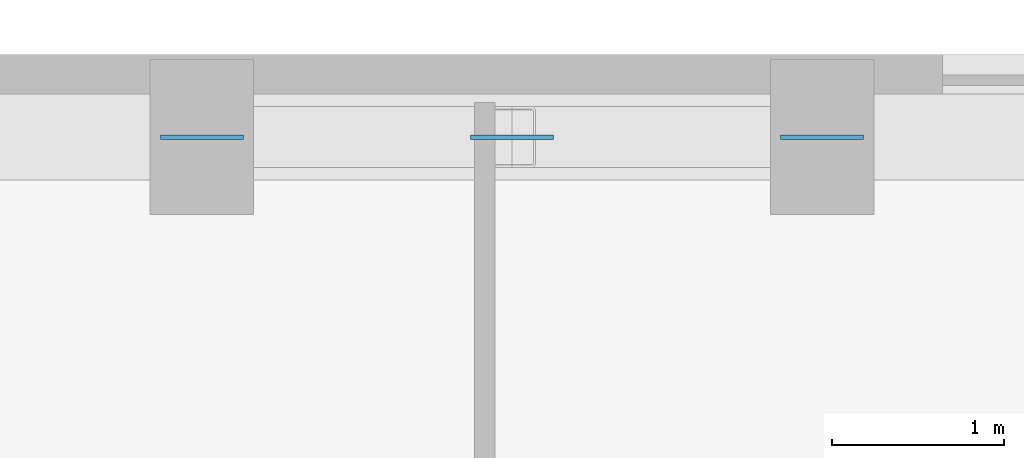
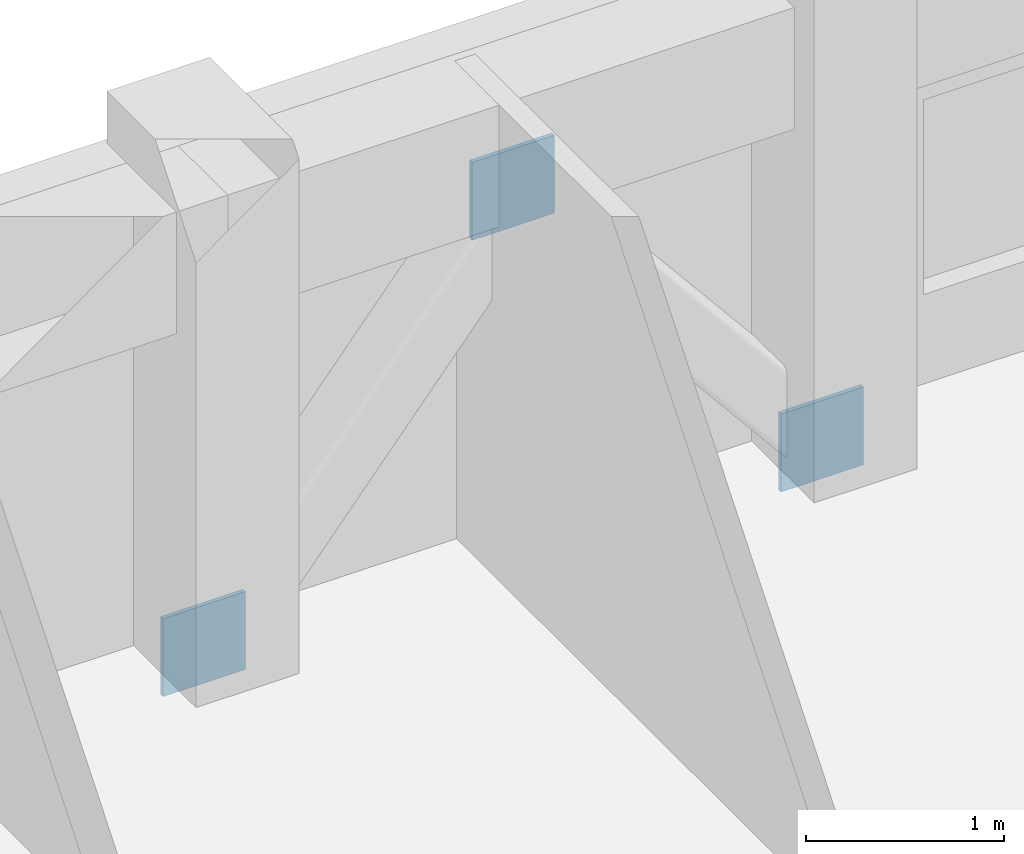
# One storey, part 9 of 11: 3 discrete accessories.
"""IFC4 building model written with IfcOpenShell, lengths in metres."""

from ifc_helpers import new_model, si_unit, derived_unit, direction, frame, origin, origin_2d, place, context, subcontext, project, spatial, rectangle, extrude, material, layer, layer_set, type_object, element, save


model = new_model("IFC4")

# Units and contexts
model_context = context("Model", 3, precision=1e-05, world=origin(), true_north=direction((0.0, 1.0)))
body_context = subcontext(model_context, "Body", "Model", "MODEL_VIEW")
ifc_project = project(units=[si_unit("LENGTHUNIT", "METRE"), si_unit("AREAUNIT", "SQUARE_METRE"), si_unit("VOLUMEUNIT", "CUBIC_METRE"), si_unit("PLANEANGLEUNIT", "RADIAN"), si_unit("MASSUNIT", "GRAM", prefix="KILO"), derived_unit("THERMALTRANSMITTANCEUNIT", [(si_unit("MASSUNIT", "GRAM", prefix="KILO"), 1), (si_unit("TIMEUNIT", "SECOND"), -3), (si_unit("THERMODYNAMICTEMPERATUREUNIT", "KELVIN"), -1)])], contexts=[model_context])

# Site, building, storey
site_placement = place(None, origin())
site = spatial("IfcSite", under=ifc_project, at=site_placement, CompositionType="ELEMENT")
building_placement = place(site_placement, origin())
building = spatial("IfcBuilding", under=site, at=building_placement, Name="Korrvale Station Residences", CompositionType="ELEMENT")
storey_placement = place(building_placement, frame((0.0, 0.0, 166.64990234375)))
storey = spatial("IfcBuildingStorey", under=building, at=storey_placement, Name="L48", CompositionType="ELEMENT", Elevation=166.64990234375)

# Discrete accessories
ifc_material = material(Name="Steel S355", Category="steel")
ifc_layer = layer(ifc_material, 0.02490234375, Name="Steel S355")
ifc_layer_set = layer_set([ifc_layer], Name="Steel S355")
discrete_accessory_type = type_object("IfcDiscreteAccessoryType", Name="ACC-GUSSET-25", PredefinedType="BRACKET", material=ifc_layer_set)
for number, where, z_axis, x_axis, name in (
    (1, (23.199951171875, 42.820068359375, -0.219970703125), (0.0, 0.0, 1.0), (1.0, 0.0, 0.0), "L48 N Brace End Gusset Connection A"),
    (2, (26.800048828125, 42.820068359375, -0.219970703125), (0.0, 0.0, 1.0), (1.0, 0.0, 0.0), "L48 N Brace End Gusset Connection B"),
    (3, (25.0, 42.820068359375, 1.960205078125), (0.0, 0.0, 1.0), (1.0, 0.0, 0.0), "L48 N Brace End Gusset Connection M"),
):
    element("IfcDiscreteAccessory", number, at=place(storey_placement, frame(where, z_axis=z_axis, x_axis=x_axis)), inside=storey, type_object=discrete_accessory_type, Name=name, PredefinedType="BRACKET", context=body_context, shape_type="SweptSolid", body=[
        extrude(rectangle(XDim=0.47998046875, YDim=0.02490234375, at=origin_2d()), origin(), (0.0, 0.0, 1.0), 0.47998046875),
    ])

save(model, "model.ifc")
